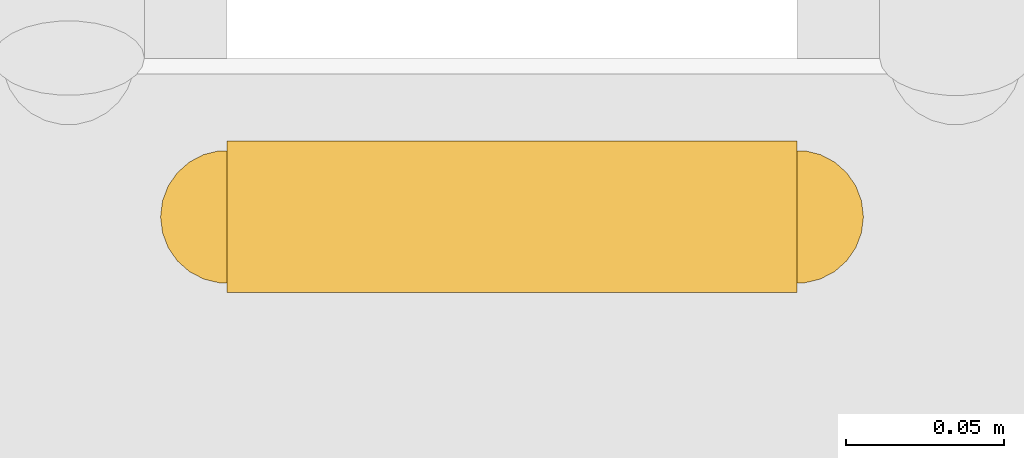
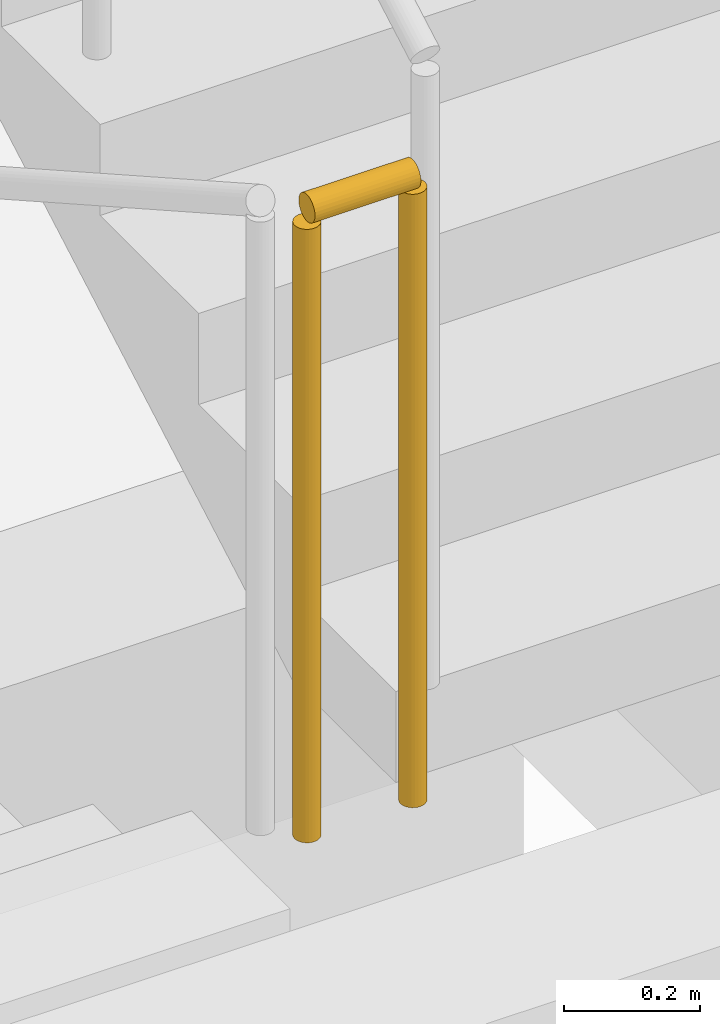
# One storey, part 10 of 14: 1 railing.
"""IFC4 building model written with IfcOpenShell, lengths in metres."""

from ifc_helpers import new_model, si_unit, direction, frame, origin, origin_2d, place, context, subcontext, project, spatial, circle, extrude, material, type_object, element, save


model = new_model("IFC4")

# Units and contexts
model_context = context("Model", 3, precision=1e-05, world=origin(), true_north=direction((0.0, 1.0)))
body_context = subcontext(model_context, "Body", "Model", "MODEL_VIEW")
ifc_project = project(units=[si_unit("LENGTHUNIT", "METRE"), si_unit("AREAUNIT", "SQUARE_METRE"), si_unit("VOLUMEUNIT", "CUBIC_METRE"), si_unit("PLANEANGLEUNIT", "RADIAN"), si_unit("MASSUNIT", "GRAM", prefix="KILO")], contexts=[model_context])

# Site, building, storey
site_placement = place(None, origin())
site = spatial("IfcSite", under=ifc_project, at=site_placement, CompositionType="ELEMENT")
building_placement = place(site_placement, origin())
building = spatial("IfcBuilding", under=site, at=building_placement, Name="Calvemar Wedge Station Tower", CompositionType="ELEMENT")
storey_placement = place(building_placement, frame((0.0, 0.0, 128.60009765625)))
storey = spatial("IfcBuildingStorey", under=building, at=storey_placement, Name="L31", CompositionType="ELEMENT", Elevation=128.60009765625)

# Railing
ifc_material = material(Name="Painted steel guardrail ASTM A500 Grade C", Category="steel")
railing_type = type_object("IfcRailingType", Name="RL-STAIR-GUARD-1150", PredefinedType="GUARDRAIL", material=ifc_material)
railing_placement = place(storey_placement, frame((18.260009765625, 38.199951171875, 1.7998046875)))
element("IfcRailing", 1, at=railing_placement, inside=storey, type_object=railing_type, Name="L31 ST-C1 stair guard 2", PredefinedType="GUARDRAIL", context=body_context, shape_type="SweptSolid", body=[
    extrude(circle(Radius=0.02392578125, at=origin_2d()), frame((0.0, 0.0, 1.1259765625), z_axis=(1.0, 0.0, 0.0), x_axis=(0.0, 1.0, 0.0)), (0.0, 0.0, 1.0), 0.179931640625),
    extrude(circle(Radius=0.02099609375, at=origin_2d()), origin(), (0.0, 0.0, 1.0), 1.101806640625),
    extrude(circle(Radius=0.02099609375, at=origin_2d()), frame((0.179931640625, 0.0, 0.0)), (0.0, 0.0, 1.0), 1.101806640625),
])

save(model, "model.ifc")
